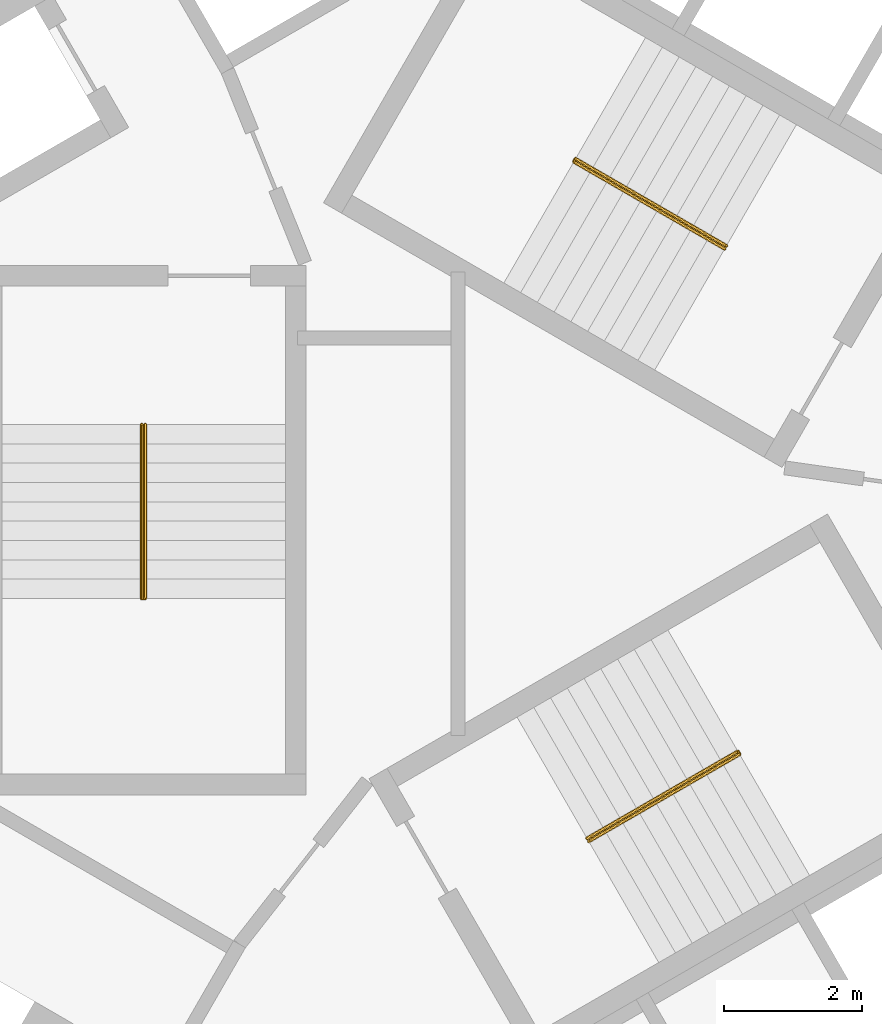
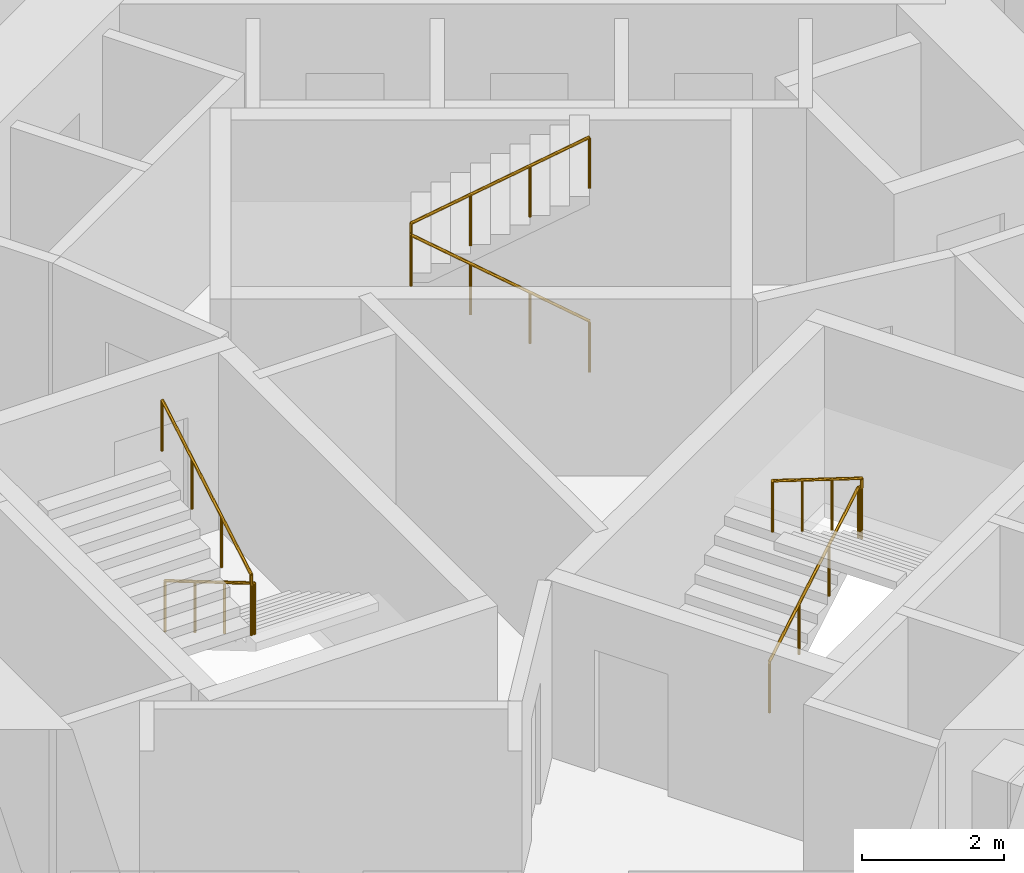
# One storey, part 12 of 12: 3 railings.
"""IFC4 building model written with IfcOpenShell, lengths in metres."""

from ifc_helpers import new_model, si_unit, direction, frame, origin, origin_2d, place, context, subcontext, project, spatial, circle, extrude, material, type_object, element, save


model = new_model("IFC4")

# Units and contexts
model_context = context("Model", 3, precision=1e-05, world=origin(), true_north=direction((0.0, 1.0)))
body_context = subcontext(model_context, "Body", "Model", "MODEL_VIEW")
ifc_project = project(units=[si_unit("LENGTHUNIT", "METRE"), si_unit("AREAUNIT", "SQUARE_METRE"), si_unit("VOLUMEUNIT", "CUBIC_METRE"), si_unit("PLANEANGLEUNIT", "RADIAN"), si_unit("MASSUNIT", "GRAM", prefix="KILO")], contexts=[model_context])

# Site, building, storey
site_placement = place(None, origin())
site = spatial("IfcSite", under=ifc_project, at=site_placement, CompositionType="ELEMENT")
building_placement = place(site_placement, origin())
building = spatial("IfcBuilding", under=site, at=building_placement, Name="Vanh Sen Convention Tower", CompositionType="ELEMENT")
storey_placement = place(building_placement, frame((0.0, 0.0, 50.60009765625)))
storey = spatial("IfcBuildingStorey", under=building, at=storey_placement, Name="L09", CompositionType="ELEMENT", Elevation=50.60009765625)

# Railings
ifc_material = material(Name="Stainless steel handrail", Category="steel")
railing_type = type_object("IfcRailingType", Name="Stair handrail 900", PredefinedType="HANDRAIL", material=ifc_material)
railing_1_placement = place(storey_placement, frame((3.45849609375, 3.690185546875, 0.164794921875)))
element("IfcRailing", 1, at=railing_1_placement, inside=storey, type_object=railing_type, Name="Stair handrail ST1 L09", PredefinedType="HANDRAIL", context=body_context, shape_type="SweptSolid", body=[
    extrude(circle(Radius=0.02392578125, at=origin_2d()), frame((0.0, 0.0, 0.8759765625), z_axis=(-0.746134546661, 0.430738299252, 0.507688640642), x_axis=(-0.499962843328, -0.866046855136, 0.0)), (0.0, 0.0, 1.0), 2.92529296875),
    extrude(circle(Radius=0.02392578125, at=origin_2d()), frame((-2.1826171875, 1.260009765625, 2.36083984375), z_axis=(0.502959906984, 0.86430974307, 0.0), x_axis=(-0.86430974307, 0.502959906984, 0.0)), (0.0, 0.0, 1.0), 0.050048828125),
    extrude(circle(Radius=0.02392578125, at=origin_2d()), frame((-2.157470703125, 1.30322265625, 2.36083984375), z_axis=(0.0, 0.0, 1.0), x_axis=(1.0, 0.0, 0.0)), (0.0, 0.0, 1.0), 0.1650390625),
    extrude(circle(Radius=0.02392578125, at=origin_2d()), frame((-2.157470703125, 1.30322265625, 2.52587890625), z_axis=(0.746129163535, -0.430783377672, 0.507658303235), x_axis=(0.500004791531, 0.866022637375, 0.0)), (0.0, 0.0, 1.0), 2.9248046875),
    extrude(circle(Radius=0.02099609375, at=origin_2d()), origin(), (0.0, 0.0, 1.0), 0.851806640625),
    extrude(circle(Radius=0.02099609375, at=origin_2d()), frame((-0.7275390625, 0.419921875, 0.4951171875)), (0.0, 0.0, 1.0), 0.851806640625),
    extrude(circle(Radius=0.02099609375, at=origin_2d()), frame((-1.455078125, 0.840087890625, 0.989990234375)), (0.0, 0.0, 1.0), 0.851806640625),
    extrude(circle(Radius=0.02099609375, at=origin_2d()), frame((-2.1826171875, 1.260009765625, 1.485107421875)), (0.0, 0.0, 1.0), 0.851806640625),
    extrude(circle(Radius=0.02099609375, at=origin_2d()), frame((-2.157470703125, 1.30322265625, 1.485107421875)), (0.0, 0.0, 1.0), 0.851806640625),
    extrude(circle(Radius=0.02099609375, at=origin_2d()), frame((-2.157470703125, 1.30322265625, 1.650146484375)), (0.0, 0.0, 1.0), 0.851806640625),
    extrude(circle(Radius=0.02099609375, at=origin_2d()), frame((-1.429931640625, 0.88330078125, 2.14501953125)), (0.0, 0.0, 1.0), 0.851806640625),
    extrude(circle(Radius=0.02099609375, at=origin_2d()), frame((-0.70263671875, 0.463134765625, 2.64013671875)), (0.0, 0.0, 1.0), 0.851806640625),
    extrude(circle(Radius=0.02099609375, at=origin_2d()), frame((0.02490234375, 0.043212890625, 3.135009765625)), (0.0, 0.0, 1.0), 0.851806640625),
])
railing_2_placement = place(storey_placement, frame((-4.925048828125, 1.14990234375, 0.164794921875)))
element("IfcRailing", 2, at=railing_2_placement, inside=storey, type_object=railing_type, Name="Stair handrail ST2 L09", PredefinedType="HANDRAIL", context=body_context, shape_type="SweptSolid", body=[
    extrude(circle(Radius=0.02392578125, at=origin_2d()), frame((0.0, 0.0, 0.8759765625), z_axis=(0.0, -0.86152411907, 0.507716645641), x_axis=(1.0, 0.0, 0.0)), (0.0, 0.0, 1.0), 2.925048828125),
    extrude(circle(Radius=0.02392578125, at=origin_2d()), frame((0.0, -2.52001953125, 2.36083984375), z_axis=(-1.0, 0.0, 0.0), x_axis=(0.0, -1.0, 0.0)), (0.0, 0.0, 1.0), 0.050048828125),
    extrude(circle(Radius=0.02392578125, at=origin_2d()), frame((-0.050048828125, -2.52001953125, 2.36083984375), z_axis=(0.0, 0.0, 1.0), x_axis=(1.0, 0.0, 0.0)), (0.0, 0.0, 1.0), 0.1650390625),
    extrude(circle(Radius=0.02392578125, at=origin_2d()), frame((-0.050048828125, -2.52001953125, 2.52587890625), z_axis=(0.0, 0.861560626758, 0.507654692109), x_axis=(-1.0, 0.0, 0.0)), (0.0, 0.0, 1.0), 2.925048828125),
    extrude(circle(Radius=0.02099609375, at=origin_2d()), origin(), (0.0, 0.0, 1.0), 0.851806640625),
    extrude(circle(Radius=0.02099609375, at=origin_2d()), frame((0.0, -0.840087890625, 0.4951171875)), (0.0, 0.0, 1.0), 0.851806640625),
    extrude(circle(Radius=0.02099609375, at=origin_2d()), frame((0.0, -1.679931640625, 0.989990234375)), (0.0, 0.0, 1.0), 0.851806640625),
    extrude(circle(Radius=0.02099609375, at=origin_2d()), frame((0.0, -2.52001953125, 1.485107421875)), (0.0, 0.0, 1.0), 0.851806640625),
    extrude(circle(Radius=0.02099609375, at=origin_2d()), frame((-0.050048828125, -2.52001953125, 1.485107421875)), (0.0, 0.0, 1.0), 0.851806640625),
    extrude(circle(Radius=0.02099609375, at=origin_2d()), frame((-0.050048828125, -2.52001953125, 1.650146484375)), (0.0, 0.0, 1.0), 0.851806640625),
    extrude(circle(Radius=0.02099609375, at=origin_2d()), frame((-0.050048828125, -1.679931640625, 2.14501953125)), (0.0, 0.0, 1.0), 0.851806640625),
    extrude(circle(Radius=0.02099609375, at=origin_2d()), frame((-0.050048828125, -0.840087890625, 2.64013671875)), (0.0, 0.0, 1.0), 0.851806640625),
    extrude(circle(Radius=0.02099609375, at=origin_2d()), frame((-0.050048828125, 0.0, 3.135009765625)), (0.0, 0.0, 1.0), 0.851806640625),
])
railing_3_placement = place(storey_placement, frame((1.466552734375, -4.840087890625, 0.164794921875)))
element("IfcRailing", 3, at=railing_3_placement, inside=storey, type_object=railing_type, Name="Stair handrail ST3 L09", PredefinedType="HANDRAIL", context=body_context, shape_type="SweptSolid", body=[
    extrude(circle(Radius=0.02392578125, at=origin_2d()), frame((0.0, 0.0, 0.8759765625), z_axis=(0.746097546679, 0.430765123438, 0.507720256902), x_axis=(-0.500004791531, 0.866022637375, 0.0)), (0.0, 0.0, 1.0), 2.925048828125),
    extrude(circle(Radius=0.02392578125, at=origin_2d()), frame((2.182373046875, 1.260009765625, 2.36083984375), z_axis=(0.500844580232, -0.86553723574, 0.0), x_axis=(0.86553723574, 0.500844580232, 0.0)), (0.0, 0.0, 1.0), 0.05029296875),
    extrude(circle(Radius=0.02392578125, at=origin_2d()), frame((2.20751953125, 1.216552734375, 2.36083984375), z_axis=(0.0, 0.0, 1.0), x_axis=(1.0, 0.0, 0.0)), (0.0, 0.0, 1.0), 0.1650390625),
    extrude(circle(Radius=0.02392578125, at=origin_2d()), frame((2.20751953125, 1.216552734375, 2.52587890625), z_axis=(-0.746129163535, -0.430783377672, 0.507658303235), x_axis=(0.500004791531, -0.866022637375, 0.0)), (0.0, 0.0, 1.0), 2.9248046875),
    extrude(circle(Radius=0.02099609375, at=origin_2d()), origin(), (0.0, 0.0, 1.0), 0.851806640625),
    extrude(circle(Radius=0.02099609375, at=origin_2d()), frame((0.7275390625, 0.419921875, 0.4951171875)), (0.0, 0.0, 1.0), 0.851806640625),
    extrude(circle(Radius=0.02099609375, at=origin_2d()), frame((1.454833984375, 0.840087890625, 0.989990234375)), (0.0, 0.0, 1.0), 0.851806640625),
    extrude(circle(Radius=0.02099609375, at=origin_2d()), frame((2.182373046875, 1.260009765625, 1.485107421875)), (0.0, 0.0, 1.0), 0.851806640625),
    extrude(circle(Radius=0.02099609375, at=origin_2d()), frame((2.20751953125, 1.216552734375, 1.485107421875)), (0.0, 0.0, 1.0), 0.851806640625),
    extrude(circle(Radius=0.02099609375, at=origin_2d()), frame((2.20751953125, 1.216552734375, 1.650146484375)), (0.0, 0.0, 1.0), 0.851806640625),
    extrude(circle(Radius=0.02099609375, at=origin_2d()), frame((1.47998046875, 0.796630859375, 2.14501953125)), (0.0, 0.0, 1.0), 0.851806640625),
    extrude(circle(Radius=0.02099609375, at=origin_2d()), frame((0.752685546875, 0.37646484375, 2.64013671875)), (0.0, 0.0, 1.0), 0.851806640625),
    extrude(circle(Radius=0.02099609375, at=origin_2d()), frame((0.025146484375, -0.04345703125, 3.135009765625)), (0.0, 0.0, 1.0), 0.851806640625),
])

save(model, "model.ifc")
